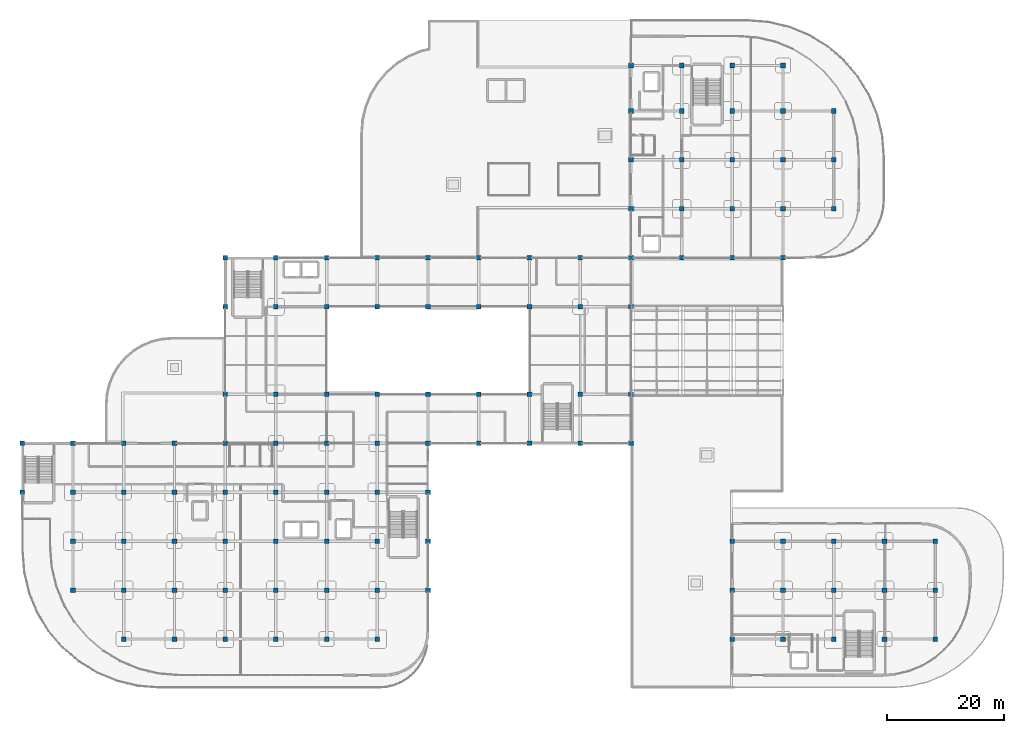
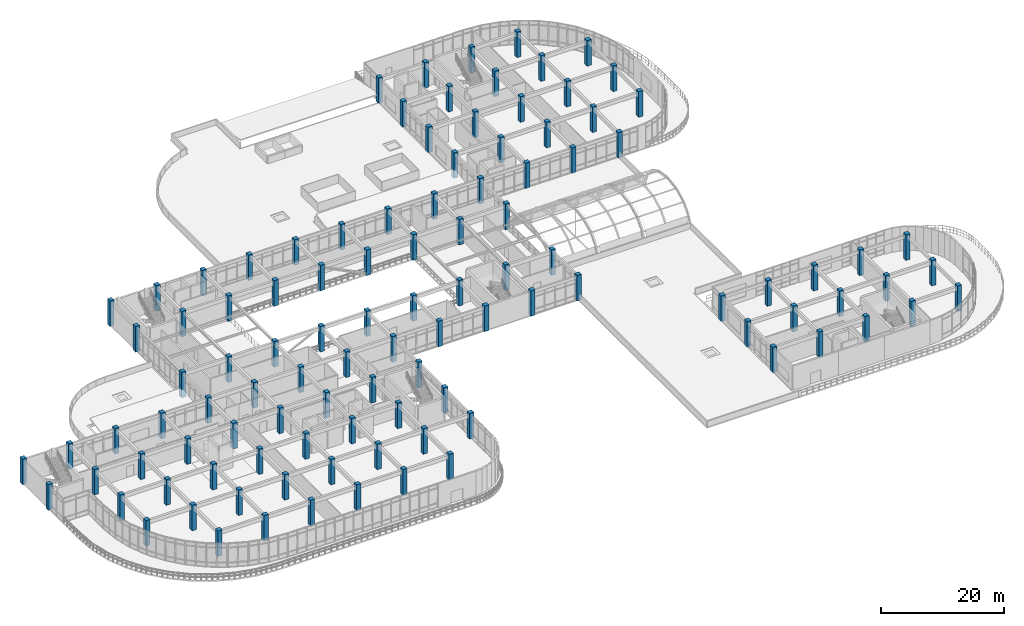
# One storey, part 1 of 124: 108 columns.
"""IFC4 building model written with IfcOpenShell, lengths in metres."""

from ifc_helpers import new_model, si_unit, derived_unit, direction, frame, origin, origin_2d, place, context, subcontext, project, spatial, rectangle, extrude, material, material_profile, profile_set, type_object, element, save


model = new_model("IFC4")

# Units and contexts
model_context = context("Model", 3, precision=1e-05, world=origin(), true_north=direction((0.0, 1.0)))
body_context = subcontext(model_context, "Body", "Model", "MODEL_VIEW")
ifc_project = project(units=[si_unit("LENGTHUNIT", "METRE"), si_unit("AREAUNIT", "SQUARE_METRE"), si_unit("VOLUMEUNIT", "CUBIC_METRE"), si_unit("PLANEANGLEUNIT", "RADIAN"), si_unit("MASSUNIT", "GRAM", prefix="KILO"), derived_unit("THERMALTRANSMITTANCEUNIT", [(si_unit("MASSUNIT", "GRAM", prefix="KILO"), 1), (si_unit("TIMEUNIT", "SECOND"), -3), (si_unit("THERMODYNAMICTEMPERATUREUNIT", "KELVIN"), -1)])], contexts=[model_context])

# Site, building, storey
site_placement = place(None, origin())
site = spatial("IfcSite", under=ifc_project, at=site_placement, CompositionType="ELEMENT")
building_placement = place(site_placement, origin())
building = spatial("IfcBuilding", under=site, at=building_placement, Name="Qinzheling Arcade Emporium", CompositionType="ELEMENT")
storey_placement = place(building_placement, frame((0.0, 0.0, 16.5)))
storey = spatial("IfcBuildingStorey", under=building, at=storey_placement, Name="L04", CompositionType="ELEMENT", Elevation=16.5)

# Columns
ifc_material = material(Name="Concrete C40", Category="concrete")
ifc_material_profile = material_profile(ifc_material, rectangle(XDim=0.800048828125, YDim=0.800048828125, at=origin_2d()), Name="RC 800x800", Category="concrete")
ifc_profile_set = profile_set([ifc_material_profile], Name="Concrete C40")
column_type = type_object("IfcColumnType", Name="RC Column 800x800 C40", PredefinedType="COLUMN", material=ifc_profile_set)
for number, where, z_axis, x_axis, name in (
    (1, (0.0, 33.60009765625, 0.0), (0.0, 0.0, 1.0), (1.0, 0.0, 0.0), "Column COL-L04-1-E"),
    (2, (0.0, 42.0, 0.0), (0.0, 0.0, 1.0), (1.0, 0.0, 0.0), "Column COL-L04-1-F"),
    (3, (8.699951171875, 16.800048828125, 0.0), (0.0, 0.0, 1.0), (1.0, 0.0, 0.0), "Column COL-L04-2-C"),
    (4, (8.699951171875, 25.199951171875, 0.0), (0.0, 0.0, 1.0), (1.0, 0.0, 0.0), "Column COL-L04-2-D"),
    (5, (8.699951171875, 33.60009765625, 0.0), (0.0, 0.0, 1.0), (1.0, 0.0, 0.0), "Column COL-L04-2-E"),
    (6, (8.699951171875, 42.0, 0.0), (0.0, 0.0, 1.0), (1.0, 0.0, 0.0), "Column COL-L04-2-F"),
    (7, (17.39990234375, 8.39990234375, 0.0), (0.0, 0.0, 1.0), (1.0, 0.0, 0.0), "Column COL-L04-3-B"),
    (8, (17.39990234375, 16.800048828125, 0.0), (0.0, 0.0, 1.0), (1.0, 0.0, 0.0), "Column COL-L04-3-C"),
    (9, (17.39990234375, 25.199951171875, 0.0), (0.0, 0.0, 1.0), (1.0, 0.0, 0.0), "Column COL-L04-3-D"),
    (10, (17.39990234375, 33.60009765625, 0.0), (0.0, 0.0, 1.0), (1.0, 0.0, 0.0), "Column COL-L04-3-E"),
    (11, (17.39990234375, 42.0, 0.0), (0.0, 0.0, 1.0), (1.0, 0.0, 0.0), "Column COL-L04-3-F"),
    (12, (26.10009765625, 8.39990234375, 0.0), (0.0, 0.0, 1.0), (1.0, 0.0, 0.0), "Column COL-L04-4-B"),
    (13, (26.10009765625, 16.800048828125, 0.0), (0.0, 0.0, 1.0), (1.0, 0.0, 0.0), "Column COL-L04-4-C"),
    (14, (26.10009765625, 25.199951171875, 0.0), (0.0, 0.0, 1.0), (1.0, 0.0, 0.0), "Column COL-L04-4-D"),
    (15, (26.10009765625, 33.60009765625, 0.0), (0.0, 0.0, 1.0), (1.0, 0.0, 0.0), "Column COL-L04-4-E"),
    (16, (26.10009765625, 42.0, 0.0), (0.0, 0.0, 1.0), (1.0, 0.0, 0.0), "Column COL-L04-4-F"),
    (17, (34.800048828125, 8.39990234375, 0.0), (0.0, 0.0, 1.0), (1.0, 0.0, 0.0), "Column COL-L04-5-B"),
    (18, (34.800048828125, 16.800048828125, 0.0), (0.0, 0.0, 1.0), (1.0, 0.0, 0.0), "Column COL-L04-5-C"),
    (19, (34.800048828125, 25.199951171875, 0.0), (0.0, 0.0, 1.0), (1.0, 0.0, 0.0), "Column COL-L04-5-D"),
    (20, (34.800048828125, 33.60009765625, 0.0), (0.0, 0.0, 1.0), (1.0, 0.0, 0.0), "Column COL-L04-5-E"),
    (21, (34.800048828125, 42.0, 0.0), (0.0, 0.0, 1.0), (1.0, 0.0, 0.0), "Column COL-L04-5-F"),
    (22, (34.800048828125, 50.39990234375, 0.0), (0.0, 0.0, 1.0), (1.0, 0.0, 0.0), "Column COL-L04-5-G"),
    (23, (34.800048828125, 65.39990234375, 0.0), (0.0, 0.0, 1.0), (1.0, 0.0, 0.0), "Column COL-L04-5-H"),
    (24, (34.800048828125, 73.800048828125, 0.0), (0.0, 0.0, 1.0), (1.0, 0.0, 0.0), "Column COL-L04-5-J"),
    (25, (43.5, 8.39990234375, 0.0), (0.0, 0.0, 1.0), (1.0, 0.0, 0.0), "Column COL-L04-6-B"),
    (26, (43.5, 16.800048828125, 0.0), (0.0, 0.0, 1.0), (1.0, 0.0, 0.0), "Column COL-L04-6-C"),
    (27, (43.5, 25.199951171875, 0.0), (0.0, 0.0, 1.0), (1.0, 0.0, 0.0), "Column COL-L04-6-D"),
    (28, (43.5, 33.60009765625, 0.0), (0.0, 0.0, 1.0), (1.0, 0.0, 0.0), "Column COL-L04-6-E"),
    (29, (43.5, 42.0, 0.0), (0.0, 0.0, 1.0), (1.0, 0.0, 0.0), "Column COL-L04-6-F"),
    (30, (43.5, 50.39990234375, 0.0), (0.0, 0.0, 1.0), (1.0, 0.0, 0.0), "Column COL-L04-6-G"),
    (31, (43.5, 65.39990234375, 0.0), (0.0, 0.0, 1.0), (1.0, 0.0, 0.0), "Column COL-L04-6-H"),
    (32, (43.5, 73.800048828125, 0.0), (0.0, 0.0, 1.0), (1.0, 0.0, 0.0), "Column COL-L04-6-J"),
    (33, (52.199951171875, 8.39990234375, 0.0), (0.0, 0.0, 1.0), (1.0, 0.0, 0.0), "Column COL-L04-7-B"),
    (34, (52.199951171875, 16.800048828125, 0.0), (0.0, 0.0, 1.0), (1.0, 0.0, 0.0), "Column COL-L04-7-C"),
    (35, (52.199951171875, 25.199951171875, 0.0), (0.0, 0.0, 1.0), (1.0, 0.0, 0.0), "Column COL-L04-7-D"),
    (36, (52.199951171875, 33.60009765625, 0.0), (0.0, 0.0, 1.0), (1.0, 0.0, 0.0), "Column COL-L04-7-E"),
    (37, (52.199951171875, 42.0, 0.0), (0.0, 0.0, 1.0), (1.0, 0.0, 0.0), "Column COL-L04-7-F"),
    (38, (52.199951171875, 50.39990234375, 0.0), (0.0, 0.0, 1.0), (1.0, 0.0, 0.0), "Column COL-L04-7-G"),
    (39, (52.199951171875, 65.39990234375, 0.0), (0.0, 0.0, 1.0), (1.0, 0.0, 0.0), "Column COL-L04-7-H"),
    (40, (52.199951171875, 73.800048828125, 0.0), (0.0, 0.0, 1.0), (1.0, 0.0, 0.0), "Column COL-L04-7-J"),
    (41, (60.89990234375, 8.39990234375, 0.0), (0.0, 0.0, 1.0), (1.0, 0.0, 0.0), "Column COL-L04-8-B"),
    (42, (60.89990234375, 16.800048828125, 0.0), (0.0, 0.0, 1.0), (1.0, 0.0, 0.0), "Column COL-L04-8-C"),
    (43, (60.89990234375, 25.199951171875, 0.0), (0.0, 0.0, 1.0), (1.0, 0.0, 0.0), "Column COL-L04-8-D"),
    (44, (60.89990234375, 33.60009765625, 0.0), (0.0, 0.0, 1.0), (1.0, 0.0, 0.0), "Column COL-L04-8-E"),
    (45, (60.89990234375, 42.0, 0.0), (0.0, 0.0, 1.0), (1.0, 0.0, 0.0), "Column COL-L04-8-F"),
    (46, (60.89990234375, 50.39990234375, 0.0), (0.0, 0.0, 1.0), (1.0, 0.0, 0.0), "Column COL-L04-8-G"),
    (47, (60.89990234375, 65.39990234375, 0.0), (0.0, 0.0, 1.0), (1.0, 0.0, 0.0), "Column COL-L04-8-H"),
    (48, (60.89990234375, 73.800048828125, 0.0), (0.0, 0.0, 1.0), (1.0, 0.0, 0.0), "Column COL-L04-8-J"),
    (49, (69.60009765625, 16.800048828125, 0.0), (0.0, 0.0, 1.0), (1.0, 0.0, 0.0), "Column COL-L04-9-C"),
    (50, (69.60009765625, 25.199951171875, 0.0), (0.0, 0.0, 1.0), (1.0, 0.0, 0.0), "Column COL-L04-9-D"),
    (51, (69.60009765625, 33.60009765625, 0.0), (0.0, 0.0, 1.0), (1.0, 0.0, 0.0), "Column COL-L04-9-E"),
    (52, (69.60009765625, 42.0, 0.0), (0.0, 0.0, 1.0), (1.0, 0.0, 0.0), "Column COL-L04-9-F"),
    (53, (69.60009765625, 50.39990234375, 0.0), (0.0, 0.0, 1.0), (1.0, 0.0, 0.0), "Column COL-L04-9-G"),
    (54, (69.60009765625, 65.39990234375, 0.0), (0.0, 0.0, 1.0), (1.0, 0.0, 0.0), "Column COL-L04-9-H"),
    (55, (69.60009765625, 73.800048828125, 0.0), (0.0, 0.0, 1.0), (1.0, 0.0, 0.0), "Column COL-L04-9-J"),
    (56, (78.300048828125, 42.0, 0.0), (0.0, 0.0, 1.0), (1.0, 0.0, 0.0), "Column COL-L04-10-F"),
    (57, (78.300048828125, 50.39990234375, 0.0), (0.0, 0.0, 1.0), (1.0, 0.0, 0.0), "Column COL-L04-10-G"),
    (58, (78.300048828125, 65.39990234375, 0.0), (0.0, 0.0, 1.0), (1.0, 0.0, 0.0), "Column COL-L04-10-H"),
    (59, (78.300048828125, 73.800048828125, 0.0), (0.0, 0.0, 1.0), (1.0, 0.0, 0.0), "Column COL-L04-10-J"),
    (60, (87.0, 42.0, 0.0), (0.0, 0.0, 1.0), (1.0, 0.0, 0.0), "Column COL-L04-11-F"),
    (61, (87.0, 50.39990234375, 0.0), (0.0, 0.0, 1.0), (1.0, 0.0, 0.0), "Column COL-L04-11-G"),
    (62, (87.0, 65.39990234375, 0.0), (0.0, 0.0, 1.0), (1.0, 0.0, 0.0), "Column COL-L04-11-H"),
    (63, (87.0, 73.800048828125, 0.0), (0.0, 0.0, 1.0), (1.0, 0.0, 0.0), "Column COL-L04-11-J"),
    (64, (95.699951171875, 42.0, 0.0), (0.0, 0.0, 1.0), (1.0, 0.0, 0.0), "Column COL-L04-12-F"),
    (65, (95.699951171875, 50.39990234375, 0.0), (0.0, 0.0, 1.0), (1.0, 0.0, 0.0), "Column COL-L04-12-G"),
    (66, (95.699951171875, 65.39990234375, 0.0), (0.0, 0.0, 1.0), (1.0, 0.0, 0.0), "Column COL-L04-12-H"),
    (67, (95.699951171875, 73.800048828125, 0.0), (0.0, 0.0, 1.0), (1.0, 0.0, 0.0), "Column COL-L04-12-J"),
    (68, (104.39990234375, 42.0, 0.0), (0.0, 0.0, 1.0), (1.0, 0.0, 0.0), "Column COL-L04-13-F"),
    (69, (104.39990234375, 50.39990234375, 0.0), (0.0, 0.0, 1.0), (1.0, 0.0, 0.0), "Column COL-L04-13-G"),
    (70, (104.39990234375, 65.39990234375, 0.0), (0.0, 0.0, 1.0), (1.0, 0.0, 0.0), "Column COL-L04-13-H"),
    (71, (104.39990234375, 73.800048828125, 0.0), (0.0, 0.0, 1.0), (1.0, 0.0, 0.0), "Column COL-L04-13-J"),
    (72, (104.39990234375, 82.199951171875, 0.0), (0.0, 0.0, 1.0), (1.0, 0.0, 0.0), "Column COL-L04-13-K"),
    (73, (104.39990234375, 90.60009765625, 0.0), (0.0, 0.0, 1.0), (1.0, 0.0, 0.0), "Column COL-L04-13-L"),
    (74, (104.39990234375, 99.0, 0.0), (0.0, 0.0, 1.0), (1.0, 0.0, 0.0), "Column COL-L04-13-M"),
    (75, (104.39990234375, 106.800048828125, 0.0), (0.0, 0.0, 1.0), (1.0, 0.0, 0.0), "Column COL-L04-13-N"),
    (76, (113.10009765625, 73.800048828125, 0.0), (0.0, 0.0, 1.0), (1.0, 0.0, 0.0), "Column COL-L04-14-J"),
    (77, (113.10009765625, 82.199951171875, 0.0), (0.0, 0.0, 1.0), (1.0, 0.0, 0.0), "Column COL-L04-14-K"),
    (78, (113.10009765625, 90.60009765625, 0.0), (0.0, 0.0, 1.0), (1.0, 0.0, 0.0), "Column COL-L04-14-L"),
    (79, (113.10009765625, 99.0, 0.0), (0.0, 0.0, 1.0), (1.0, 0.0, 0.0), "Column COL-L04-14-M"),
    (80, (113.10009765625, 106.800048828125, 0.0), (0.0, 0.0, 1.0), (1.0, 0.0, 0.0), "Column COL-L04-14-N"),
    (81, (121.800048828125, 8.39990234375, 0.0), (0.0, 0.0, 1.0), (1.0, 0.0, 0.0), "Column COL-L04-15-B"),
    (82, (121.800048828125, 16.800048828125, 0.0), (0.0, 0.0, 1.0), (1.0, 0.0, 0.0), "Column COL-L04-15-C"),
    (83, (121.800048828125, 25.199951171875, 0.0), (0.0, 0.0, 1.0), (1.0, 0.0, 0.0), "Column COL-L04-15-D"),
    (84, (121.800048828125, 73.800048828125, 0.0), (0.0, 0.0, 1.0), (1.0, 0.0, 0.0), "Column COL-L04-15-J"),
    (85, (121.800048828125, 82.199951171875, 0.0), (0.0, 0.0, 1.0), (1.0, 0.0, 0.0), "Column COL-L04-15-K"),
    (86, (121.800048828125, 90.60009765625, 0.0), (0.0, 0.0, 1.0), (1.0, 0.0, 0.0), "Column COL-L04-15-L"),
    (87, (121.800048828125, 99.0, 0.0), (0.0, 0.0, 1.0), (1.0, 0.0, 0.0), "Column COL-L04-15-M"),
    (88, (121.800048828125, 106.800048828125, 0.0), (0.0, 0.0, 1.0), (1.0, 0.0, 0.0), "Column COL-L04-15-N"),
    (89, (130.5, 8.39990234375, 0.0), (0.0, 0.0, 1.0), (1.0, 0.0, 0.0), "Column COL-L04-16-B"),
    (90, (130.5, 16.800048828125, 0.0), (0.0, 0.0, 1.0), (1.0, 0.0, 0.0), "Column COL-L04-16-C"),
    (91, (130.5, 25.199951171875, 0.0), (0.0, 0.0, 1.0), (1.0, 0.0, 0.0), "Column COL-L04-16-D"),
    (92, (130.5, 73.800048828125, 0.0), (0.0, 0.0, 1.0), (1.0, 0.0, 0.0), "Column COL-L04-16-J"),
    (93, (130.5, 82.199951171875, 0.0), (0.0, 0.0, 1.0), (1.0, 0.0, 0.0), "Column COL-L04-16-K"),
    (94, (130.5, 90.60009765625, 0.0), (0.0, 0.0, 1.0), (1.0, 0.0, 0.0), "Column COL-L04-16-L"),
    (95, (130.5, 99.0, 0.0), (0.0, 0.0, 1.0), (1.0, 0.0, 0.0), "Column COL-L04-16-M"),
    (96, (130.5, 106.800048828125, 0.0), (0.0, 0.0, 1.0), (1.0, 0.0, 0.0), "Column COL-L04-16-N"),
    (97, (139.199951171875, 8.39990234375, 0.0), (0.0, 0.0, 1.0), (1.0, 0.0, 0.0), "Column COL-L04-17-B"),
    (98, (139.199951171875, 16.800048828125, 0.0), (0.0, 0.0, 1.0), (1.0, 0.0, 0.0), "Column COL-L04-17-C"),
    (99, (139.199951171875, 25.199951171875, 0.0), (0.0, 0.0, 1.0), (1.0, 0.0, 0.0), "Column COL-L04-17-D"),
    (100, (139.199951171875, 82.199951171875, 0.0), (0.0, 0.0, 1.0), (1.0, 0.0, 0.0), "Column COL-L04-17-K"),
    (101, (139.199951171875, 90.60009765625, 0.0), (0.0, 0.0, 1.0), (1.0, 0.0, 0.0), "Column COL-L04-17-L"),
    (102, (139.199951171875, 99.0, 0.0), (0.0, 0.0, 1.0), (1.0, 0.0, 0.0), "Column COL-L04-17-M"),
    (103, (147.89990234375, 8.39990234375, 0.0), (0.0, 0.0, 1.0), (1.0, 0.0, 0.0), "Column COL-L04-18-B"),
    (104, (147.89990234375, 16.800048828125, 0.0), (0.0, 0.0, 1.0), (1.0, 0.0, 0.0), "Column COL-L04-18-C"),
    (105, (147.89990234375, 25.199951171875, 0.0), (0.0, 0.0, 1.0), (1.0, 0.0, 0.0), "Column COL-L04-18-D"),
    (106, (156.60009765625, 8.39990234375, 0.0), (0.0, 0.0, 1.0), (1.0, 0.0, 0.0), "Column COL-L04-19-B"),
    (107, (156.60009765625, 16.800048828125, 0.0), (0.0, 0.0, 1.0), (1.0, 0.0, 0.0), "Column COL-L04-19-C"),
    (108, (156.60009765625, 25.199951171875, 0.0), (0.0, 0.0, 1.0), (1.0, 0.0, 0.0), "Column COL-L04-19-D"),
):
    element("IfcColumn", number, at=place(storey_placement, frame(where, z_axis=z_axis, x_axis=x_axis)), inside=storey, type_object=column_type, Name=name, PredefinedType="COLUMN", context=body_context, shape_type="SweptSolid", body=[
        extrude(rectangle(XDim=0.800048828125, YDim=0.800048828125, at=origin_2d()), origin(), (0.0, 0.0, 1.0), 5.10009765625),
    ])

save(model, "model.ifc")
